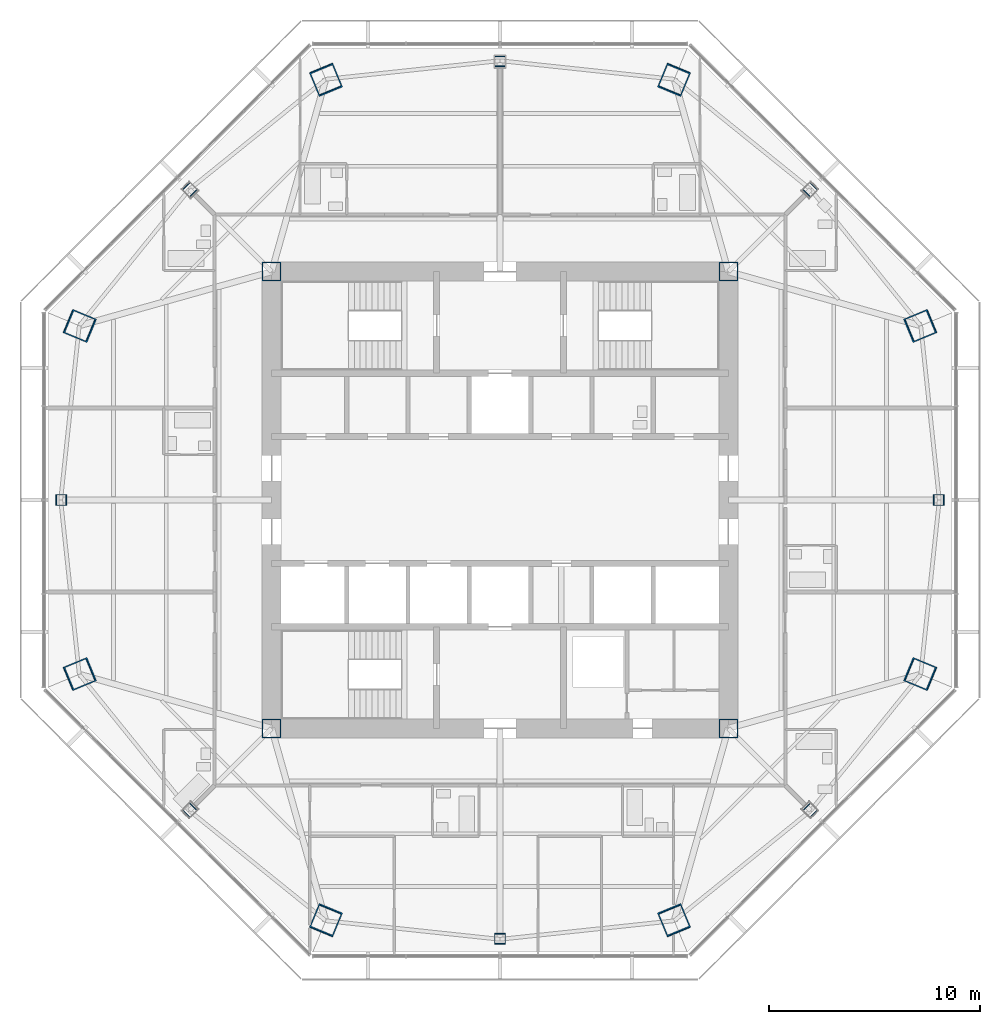
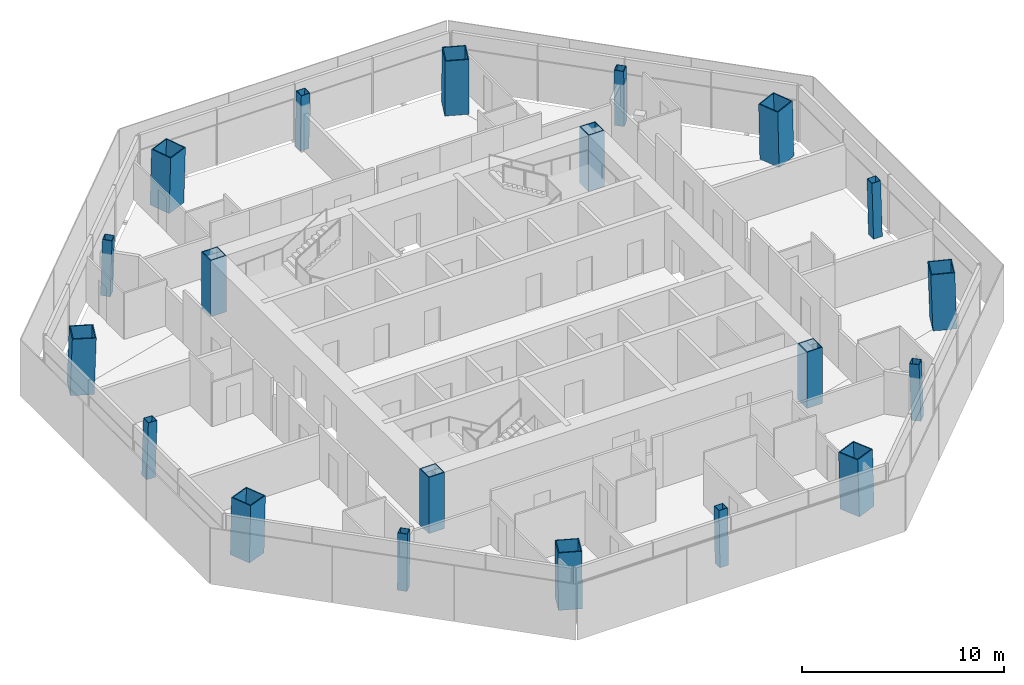
# One storey, part 1 of 15: 20 columns.
"""IFC4 building model written with IfcOpenShell, lengths in metres."""

from ifc_helpers import new_model, si_unit, direction, frame, origin, origin_2d, place, context, subcontext, project, spatial, hollow_rectangle, extrude, material, material_profile, profile_set, type_object, element, save


model = new_model("IFC4")

# Units and contexts
model_context = context("Model", 3, precision=1e-05, world=origin(), true_north=direction((0.0, 1.0)))
body_context = subcontext(model_context, "Body", "Model", "MODEL_VIEW")
ifc_project = project(units=[si_unit("LENGTHUNIT", "METRE"), si_unit("AREAUNIT", "SQUARE_METRE"), si_unit("VOLUMEUNIT", "CUBIC_METRE"), si_unit("PLANEANGLEUNIT", "RADIAN"), si_unit("MASSUNIT", "GRAM", prefix="KILO")], contexts=[model_context])

# Site, building, storey
site_placement = place(None, origin())
site = spatial("IfcSite", under=ifc_project, at=site_placement, CompositionType="ELEMENT")
building_placement = place(site_placement, origin())
building = spatial("IfcBuilding", under=site, at=building_placement, Name="Mashrafa Tower", CompositionType="ELEMENT")
storey_placement = place(building_placement, frame((0.0, 0.0, 227.800048828125)))
storey = spatial("IfcBuildingStorey", under=building, at=storey_placement, Name="L53", CompositionType="ELEMENT", Elevation=227.800048828125)

# Columns
ifc_material_1 = material(Name="Steel ASTM A572 Gr 50", Category="steel")
ifc_material_profile_1 = material_profile(ifc_material_1, hollow_rectangle(XDim=0.89990234375, YDim=0.89990234375, WallThickness=0.050048828125, at=origin_2d()), Name="BOX900X900X50")
ifc_profile_set_1 = profile_set([ifc_material_profile_1], Name="Steel ASTM A572 Gr 50")
column_type_1 = type_object("IfcColumnType", Name="Core corner column BOX900X900X50", PredefinedType="COLUMN", material=ifc_profile_set_1)
for number, where, z_axis, x_axis, name in (
    (1, (10.800048828125, 10.800048828125, 0.0), (0.0, 0.0, 1.0), (1.0, 0.0, 0.0), "Core corner column CC-NE L53"),
    (2, (-10.800048828125, 10.800048828125, 0.0), (0.0, 0.0, 1.0), (1.0, 0.0, 0.0), "Core corner column CC-NW L53"),
    (3, (-10.800048828125, -10.800048828125, 0.0), (0.0, 0.0, 1.0), (1.0, 0.0, 0.0), "Core corner column CC-SW L53"),
    (4, (10.800048828125, -10.800048828125, 0.0), (0.0, 0.0, 1.0), (1.0, 0.0, 0.0), "Core corner column CC-SE L53"),
):
    element("IfcColumn", number, at=place(storey_placement, frame(where, z_axis=z_axis, x_axis=x_axis)), inside=storey, type_object=column_type_1, Name=name, PredefinedType="COLUMN", context=body_context, shape_type="SweptSolid", body=[
        extrude(hollow_rectangle(XDim=0.89990234375, YDim=0.89990234375, WallThickness=0.050048828125, at=origin_2d()), origin(), (0.0, 0.0, 1.0), 3.39990234375),
    ])
ifc_material_2 = material(Name="Steel ASTM A572 Gr 50", Category="steel")
ifc_material_profile_2 = material_profile(ifc_material_2, hollow_rectangle(XDim=1.199951171875, YDim=1.199951171875, WallThickness=0.054931640625, at=origin_2d()), Name="BOX1200X1200X55")
ifc_profile_set_2 = profile_set([ifc_material_profile_2], Name="Steel ASTM A572 Gr 50")
column_type_2 = type_object("IfcColumnType", Name="Mega column CFST BOX1200X1200X55", PredefinedType="COLUMN", material=ifc_profile_set_2)
for number, where, z_axis, x_axis, name in (
    (5, (19.892333984375, 8.23974609375, 0.0), (-0.02827915051, -0.01169924247, 0.999531598986), (0.382282742426, -0.924045401938, 0.0), "Mega column MC1 L53"),
    (6, (8.23974609375, 19.892333984375, 0.0), (-0.01169924247, -0.02827915051, 0.999531598986), (0.924045401938, -0.382282742426, 0.0), "Mega column MC2 L53"),
    (7, (-8.23974609375, 19.892333984375, 0.0), (0.01169924247, -0.02827915051, 0.999531598986), (0.924045401938, 0.382282742426, 0.0), "Mega column MC3 L53"),
    (8, (-19.892333984375, 8.23974609375, 0.0), (0.02827915051, -0.01169924247, 0.999531598986), (0.382282742426, 0.924045401938, 0.0), "Mega column MC4 L53"),
    (9, (-19.892333984375, -8.23974609375, 0.0), (0.02827915051, 0.01169924247, 0.999531598986), (-0.382282742426, 0.924045401938, 0.0), "Mega column MC5 L53"),
    (10, (-8.23974609375, -19.892333984375, 0.0), (0.01169924247, 0.02827915051, 0.999531598986), (-0.924045401938, 0.382282742426, 0.0), "Mega column MC6 L53"),
    (11, (8.23974609375, -19.892333984375, 0.0), (-0.01169924247, 0.02827915051, 0.999531598986), (-0.924045401938, -0.382282742426, 0.0), "Mega column MC7 L53"),
    (12, (19.892333984375, -8.23974609375, 0.0), (-0.02827915051, 0.01169924247, 0.999531598986), (-0.382282742426, -0.924045401938, 0.0), "Mega column MC8 L53"),
):
    element("IfcColumn", number, at=place(storey_placement, frame(where, z_axis=z_axis, x_axis=x_axis)), inside=storey, type_object=column_type_2, Name=name, PredefinedType="COLUMN", context=body_context, shape_type="SweptSolid", body=[
        extrude(hollow_rectangle(XDim=1.199951171875, YDim=1.199951171875, WallThickness=0.054931640625, at=origin_2d()), origin(), (0.0, 0.0, 1.0), 3.401611328125),
    ])
ifc_material_3 = material(Name="Steel ASTM A572 Gr 50", Category="steel")
ifc_material_profile_3 = material_profile(ifc_material_3, hollow_rectangle(XDim=0.5, YDim=0.5, WallThickness=0.02490234375, at=origin_2d()), Name="BOX500X500X25")
ifc_profile_set_3 = profile_set([ifc_material_profile_3], Name="Steel ASTM A572 Gr 50")
column_type_3 = type_object("IfcColumnType", Name="Secondary column BOX500X500X25", PredefinedType="COLUMN", material=ifc_profile_set_3)
for number, where, z_axis, x_axis, name in (
    (13, (20.7705078125, 0.0, 0.0), (-0.028281086024, 0.0, 0.999600010091), (0.0, -1.0, 0.0), "Secondary column SC1 L53"),
    (14, (14.68701171875, 14.68701171875, 0.0), (-0.020026431307, -0.020026431307, 0.999598861593), (0.707106781187, -0.707106781187, 0.0), "Secondary column SC2 L53"),
    (15, (0.0, 20.7705078125, 0.0), (0.0, -0.028281086024, 0.999600010091), (1.0, 0.0, 0.0), "Secondary column SC3 L53"),
    (16, (-14.68701171875, 14.68701171875, 0.0), (0.020026431307, -0.020026431307, 0.999598861593), (0.707106781187, 0.707106781187, 0.0), "Secondary column SC4 L53"),
    (17, (-20.7705078125, 0.0, 0.0), (0.028281086024, 0.0, 0.999600010091), (0.0, 1.0, 0.0), "Secondary column SC5 L53"),
    (18, (-14.68701171875, -14.68701171875, 0.0), (0.020026431307, 0.020026431307, 0.999598861593), (-0.707106781187, 0.707106781187, 0.0), "Secondary column SC6 L53"),
    (19, (0.0, -20.7705078125, 0.0), (0.0, 0.028281086024, 0.999600010091), (-1.0, 0.0, 0.0), "Secondary column SC7 L53"),
    (20, (14.68701171875, -14.68701171875, 0.0), (-0.020026431307, 0.020026431307, 0.999598861593), (-0.707106781187, -0.707106781187, 0.0), "Secondary column SC8 L53"),
):
    element("IfcColumn", number, at=place(storey_placement, frame(where, z_axis=z_axis, x_axis=x_axis)), inside=storey, type_object=column_type_3, Name=name, PredefinedType="COLUMN", context=body_context, shape_type="SweptSolid", body=[
        extrude(hollow_rectangle(XDim=0.5, YDim=0.5, WallThickness=0.02490234375, at=origin_2d()), origin(), (0.0, 0.0, 1.0), 3.4013671875),
    ])

save(model, "model.ifc")
